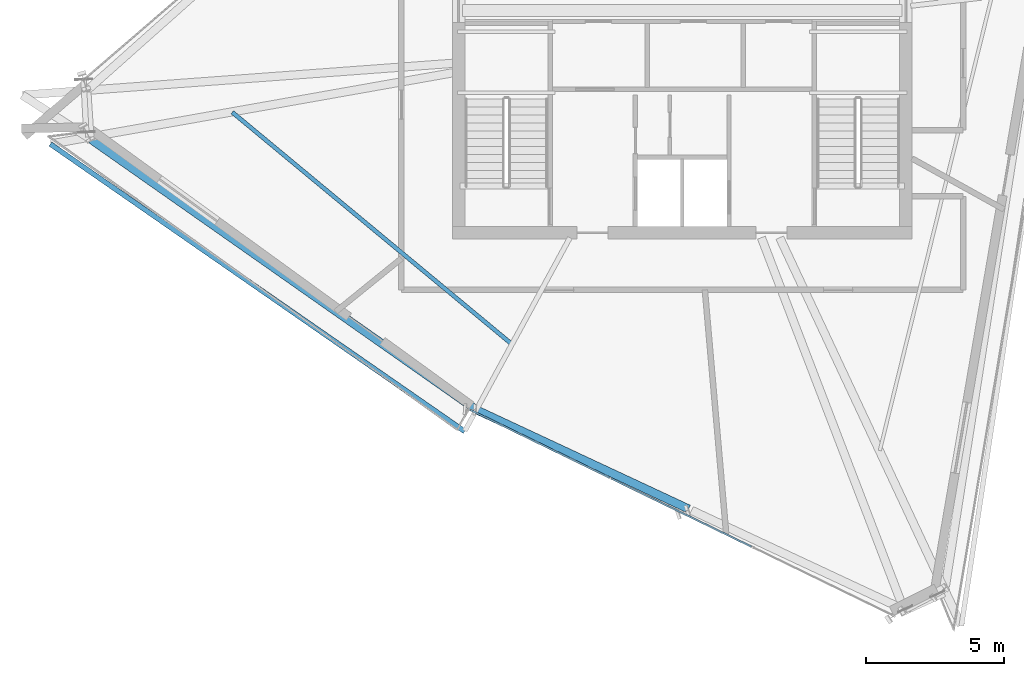
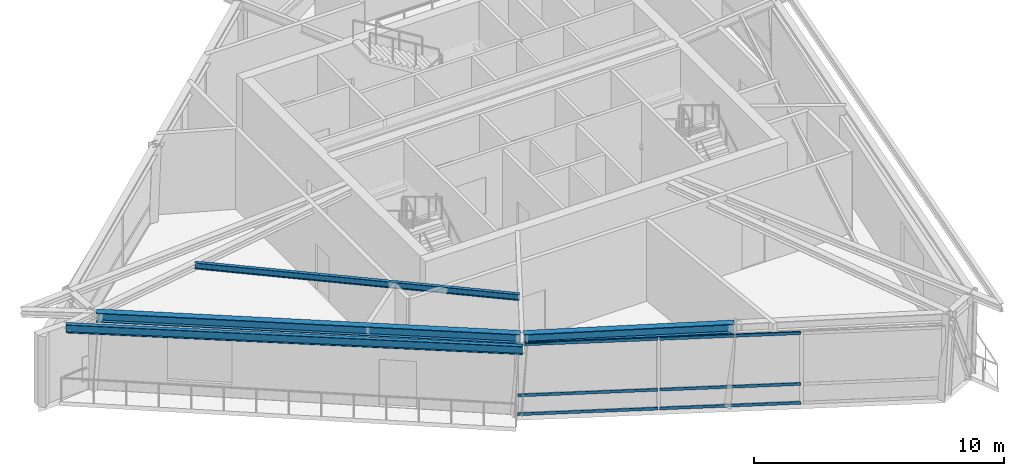
# One storey, part 3 of 22: 6 members, 4 beams, 1 element without a shape of its own.
"""IFC4 building model written with IfcOpenShell, lengths in metres."""

from ifc_helpers import new_model, si_unit, direction, frame, origin, origin_2d, place, context, subcontext, project, spatial, hollow_rectangle, i_section, extrude, source, transform, mapped, material, material_profile, profile_set, type_object, element, aggregate, save


model = new_model("IFC4")

# Units and contexts
model_context = context("Model", 3, precision=1e-05, world=origin(), true_north=direction((0.0, 1.0)))
body_context = subcontext(model_context, "Body", "Model", "MODEL_VIEW")
ifc_project = project(units=[si_unit("LENGTHUNIT", "METRE"), si_unit("AREAUNIT", "SQUARE_METRE"), si_unit("VOLUMEUNIT", "CUBIC_METRE"), si_unit("PLANEANGLEUNIT", "RADIAN"), si_unit("MASSUNIT", "GRAM", prefix="KILO")], contexts=[model_context])

# Site, building, storey
site_placement = place(None, origin())
site = spatial("IfcSite", under=ifc_project, at=site_placement, CompositionType="ELEMENT")
building_placement = place(site_placement, origin())
building = spatial("IfcBuilding", under=site, at=building_placement, Name="Olszyna Solenne Hotel", CompositionType="ELEMENT")
storey_placement = place(building_placement, frame((0.0, 0.0, 281.89990234375)))
storey = spatial("IfcBuildingStorey", under=building, at=storey_placement, Name="L75", CompositionType="ELEMENT", Elevation=281.89990234375)

# Beams
ifc_material_1 = material(Name="Steel S355J2", Category="steel")
ifc_material_profile_1 = material_profile(ifc_material_1, i_section(OverallWidth=0.300048828125, OverallDepth=0.449951171875, WebThickness=0.013916015625, FlangeThickness=0.02587890625, at=origin_2d()), Name="HEB 450", Category="load-bearing")
ifc_profile_set_1 = profile_set([ifc_material_profile_1], Name="Steel S355J2")
beam_type_1 = type_object("IfcBeamType", Name="BM-S4", PredefinedType="BEAM", material=ifc_profile_set_1)
shared_shape_1 = source(origin(), body_context, "Body", "SweptSolid", [
    extrude(i_section(OverallWidth=0.300048828125, OverallDepth=0.449951171875, WebThickness=0.013916015625, FlangeThickness=0.02587890625, at=origin_2d()), origin(), (0.0, 0.0, 1.0), 17.025634765625),
])
beam_1_placement = place(storey_placement, frame((16.5341796875, 22.658935546875, 3.695068359375), z_axis=(0.818480743217, -0.574533961557, 0.0), x_axis=(0.574533961557, 0.818480743217, 0.0)))
element("IfcBeam", 1, at=beam_1_placement, inside=storey, type_object=beam_type_1, Name="Perimeter spandrel beam BM-S4 B-L75-2201", PredefinedType="BEAM", context=body_context, shape_type="MappedRepresentation", body=[
    mapped(shared_shape_1, transform((0.0, 0.0, 0.0), x_axis=(1.0, 0.0, 0.0), y_axis=(0.0, 1.0, 0.0), z_axis=(0.0, 0.0, 1.0), scale=1.0)),
])
shared_shape_2 = source(origin(), body_context, "Body", "SweptSolid", [
    extrude(i_section(OverallWidth=0.300048828125, OverallDepth=0.449951171875, WebThickness=0.013916015625, FlangeThickness=0.02587890625, at=origin_2d()), origin(), (0.0, 0.0, 1.0), 8.45263671875),
])
beam_2_placement = place(storey_placement, frame((30.57275390625, 12.817138671875, 3.695068359375), z_axis=(0.906092358664, -0.423079942294, 0.0), x_axis=(0.423079942294, 0.906092358664, 0.0)))
element("IfcBeam", 2, at=beam_2_placement, inside=storey, type_object=beam_type_1, Name="Perimeter spandrel beam BM-S4 B-L75-2202", PredefinedType="BEAM", context=body_context, shape_type="MappedRepresentation", body=[
    mapped(shared_shape_2, transform((0.0, 0.0, 0.0), x_axis=(1.0, 0.0, 0.0), y_axis=(0.0, 1.0, 0.0), z_axis=(0.0, 0.0, 1.0), scale=1.0)),
])
ifc_material_profile_2 = material_profile(ifc_material_1, i_section(OverallWidth=0.14990234375, OverallDepth=0.300048828125, WebThickness=0.007080078125, FlangeThickness=0.0107421875, at=origin_2d()), Name="IPE 300", Category="load-bearing")
ifc_profile_set_2 = profile_set([ifc_material_profile_2], Name="Steel S355J2")
beam_type_2 = type_object("IfcBeamType", Name="JS-02", PredefinedType="JOIST", material=ifc_profile_set_2)
shared_shape_3 = source(origin(), body_context, "Body", "SweptSolid", [
    extrude(i_section(OverallWidth=0.14990234375, OverallDepth=0.300048828125, WebThickness=0.007080078125, FlangeThickness=0.0107421875, at=origin_2d()), origin(), (0.0, 0.0, 1.0), 13.18017578125),
])
beam_3_placement = place(storey_placement, frame((21.65576171875, 23.65234375, 3.77001953125), z_axis=(0.769666269076, -0.638446422378, 0.0), x_axis=(0.638446422378, 0.769666269076, 0.0)))
element("IfcBeam", 3, at=beam_3_placement, inside=storey, type_object=beam_type_2, Name="Secondary composite floor joist JS-02 B-L75-2219", PredefinedType="JOIST", context=body_context, shape_type="MappedRepresentation", body=[
    mapped(shared_shape_3, transform((0.0, 0.0, 0.0), x_axis=(1.0, 0.0, 0.0), y_axis=(0.0, 1.0, 0.0), z_axis=(0.0, 0.0, 1.0), scale=1.0)),
])
ifc_material_profile_3 = material_profile(ifc_material_1, i_section(OverallWidth=0.179931640625, OverallDepth=0.39990234375, WebThickness=0.008544921875, FlangeThickness=0.013427734375, at=origin_2d()), Name="IPE 400", Category="load-bearing")
ifc_profile_set_3 = profile_set([ifc_material_profile_3], Name="Steel S355J2")
beam_type_3 = type_object("IfcBeamType", Name="BM-F5", PredefinedType="BEAM", material=ifc_profile_set_3)
shared_shape_4 = source(origin(), body_context, "Body", "SweptSolid", [
    extrude(i_section(OverallWidth=0.179931640625, OverallDepth=0.39990234375, WebThickness=0.008544921875, FlangeThickness=0.013427734375, at=origin_2d()), origin(), (0.0, 0.0, 1.0), 18.314453125),
])
beam_4_placement = place(storey_placement, frame((15.046630859375, 22.497314453125, 3.72021484375), z_axis=(0.821681247769, -0.569947302006, 0.0), x_axis=(0.569947302006, 0.821681247769, 0.0)))
element("IfcBeam", 4, at=beam_4_placement, inside=storey, type_object=beam_type_3, Name="Loggia outer edge beam BM-F5 B-L75-2222", PredefinedType="BEAM", context=body_context, shape_type="MappedRepresentation", body=[
    mapped(shared_shape_4, transform((0.0, 0.0, 0.0), x_axis=(1.0, 0.0, 0.0), y_axis=(0.0, 1.0, 0.0), z_axis=(0.0, 0.0, 1.0), scale=1.0)),
])

# Curtain wall, members
ifc_material_2 = material(Name="Anodised bronze aluminium", Category="aluminium")
curtain_wall_type = type_object("IfcCurtainWallType", Name="CW-SYS-7", PredefinedType="NOTDEFINED", material=ifc_material_2)
curtain_wall_placement = place(storey_placement, origin())
curtain_wall = element("IfcCurtainWall", 5, at=curtain_wall_placement, inside=storey, type_object=curtain_wall_type, Name="Unitised curtain wall CW-SYS-7 CW-L75-01", PredefinedType="NOTDEFINED")
ifc_material_profile_4 = material_profile(ifc_material_2, hollow_rectangle(XDim=0.06494140625, YDim=0.139892578125, WallThickness=0.00390625, at=origin_2d()), Name="TRAN 140x65x4", Category="load-bearing")
ifc_profile_set_4 = profile_set([ifc_material_profile_4], Name="Anodised bronze aluminium")
member_type = type_object("IfcMemberType", Name="CW-T2", PredefinedType="USERDEFINED", material=ifc_profile_set_4)
shared_shape_5 = source(origin(), body_context, "Body", "SweptSolid", [
    extrude(hollow_rectangle(XDim=0.06494140625, YDim=0.139892578125, WallThickness=0.00390625, at=origin_2d()), origin(), (0.0, 0.0, 1.0), 5.626220703125),
])
member_1_placement = place(storey_placement, frame((30.306396484375, 12.8349609375, 0.03271484375), z_axis=(0.899285370993, -0.437362345794, 0.0), x_axis=(0.437362345794, 0.899285370993, 0.0)))
member_1 = element("IfcMember", 6, at=member_1_placement, type_object=member_type, Name="Curtain-wall transom CW-T2 CT-L75-01-01", ObjectType="TRANSOM", PredefinedType="USERDEFINED", context=body_context, shape_type="MappedRepresentation", body=[
    mapped(shared_shape_5, transform((0.0, 0.0, 0.0), x_axis=(1.0, 0.0, 0.0), y_axis=(0.0, 1.0, 0.0), z_axis=(0.0, 0.0, 1.0), scale=1.0)),
])
member_2_placement = place(storey_placement, frame((30.306396484375, 12.8349609375, 0.9501953125), z_axis=(0.899285370993, -0.437362345794, 0.0), x_axis=(0.437362345794, 0.899285370993, 0.0)))
member_2 = element("IfcMember", 7, at=member_2_placement, type_object=member_type, Name="Curtain-wall transom CW-T2 CT-L75-01-02", ObjectType="TRANSOM", PredefinedType="USERDEFINED", context=body_context, shape_type="MappedRepresentation", body=[
    mapped(shared_shape_5, transform((0.0, 0.0, 0.0), x_axis=(1.0, 0.0, 0.0), y_axis=(0.0, 1.0, 0.0), z_axis=(0.0, 0.0, 1.0), scale=1.0)),
])
member_3_placement = place(storey_placement, frame((30.306396484375, 12.8349609375, 3.4296875), z_axis=(0.899285370993, -0.437362345794, 0.0), x_axis=(0.437362345794, 0.899285370993, 0.0)))
member_3 = element("IfcMember", 8, at=member_3_placement, type_object=member_type, Name="Curtain-wall transom CW-T2 CT-L75-01-03", ObjectType="TRANSOM", PredefinedType="USERDEFINED", context=body_context, shape_type="MappedRepresentation", body=[
    mapped(shared_shape_5, transform((0.0, 0.0, 0.0), x_axis=(1.0, 0.0, 0.0), y_axis=(0.0, 1.0, 0.0), z_axis=(0.0, 0.0, 1.0), scale=1.0)),
])
shared_shape_6 = source(origin(), body_context, "Body", "SweptSolid", [
    extrude(hollow_rectangle(XDim=0.06494140625, YDim=0.139892578125, WallThickness=0.00390625, at=origin_2d()), origin(), (0.0, 0.0, 1.0), 5.658935546875),
])
member_4_placement = place(storey_placement, frame((35.424560546875, 10.345703125, 0.03271484375), z_axis=(0.899274533111, -0.437384629471, 0.0), x_axis=(0.437384629471, 0.899274533111, 0.0)))
member_4 = element("IfcMember", 9, at=member_4_placement, type_object=member_type, Name="Curtain-wall transom CW-T2 CT-L75-01-04", ObjectType="TRANSOM", PredefinedType="USERDEFINED", context=body_context, shape_type="MappedRepresentation", body=[
    mapped(shared_shape_6, transform((0.0, 0.0, 0.0), x_axis=(1.0, 0.0, 0.0), y_axis=(0.0, 1.0, 0.0), z_axis=(0.0, 0.0, 1.0), scale=1.0)),
])
member_5_placement = place(storey_placement, frame((35.424560546875, 10.345703125, 0.9501953125), z_axis=(0.899274533111, -0.437384629471, 0.0), x_axis=(0.437384629471, 0.899274533111, 0.0)))
member_5 = element("IfcMember", 10, at=member_5_placement, type_object=member_type, Name="Curtain-wall transom CW-T2 CT-L75-01-05", ObjectType="TRANSOM", PredefinedType="USERDEFINED", context=body_context, shape_type="MappedRepresentation", body=[
    mapped(shared_shape_6, transform((0.0, 0.0, 0.0), x_axis=(1.0, 0.0, 0.0), y_axis=(0.0, 1.0, 0.0), z_axis=(0.0, 0.0, 1.0), scale=1.0)),
])
member_6_placement = place(storey_placement, frame((35.424560546875, 10.345703125, 3.4296875), z_axis=(0.899274533111, -0.437384629471, 0.0), x_axis=(0.437384629471, 0.899274533111, 0.0)))
member_6 = element("IfcMember", 11, at=member_6_placement, type_object=member_type, Name="Curtain-wall transom CW-T2 CT-L75-01-06", ObjectType="TRANSOM", PredefinedType="USERDEFINED", context=body_context, shape_type="MappedRepresentation", body=[
    mapped(shared_shape_6, transform((0.0, 0.0, 0.0), x_axis=(1.0, 0.0, 0.0), y_axis=(0.0, 1.0, 0.0), z_axis=(0.0, 0.0, 1.0), scale=1.0)),
])
aggregate(curtain_wall, [member_1, member_2, member_3, member_4, member_5, member_6])

save(model, "model.ifc")
